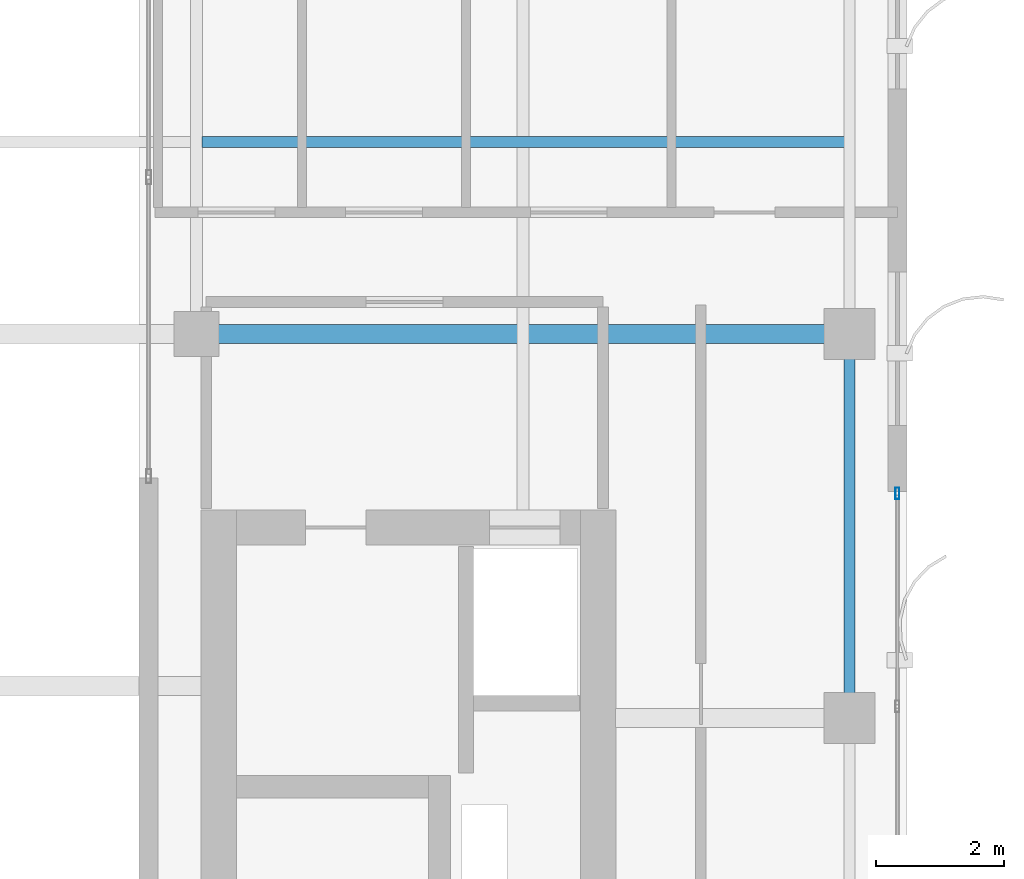
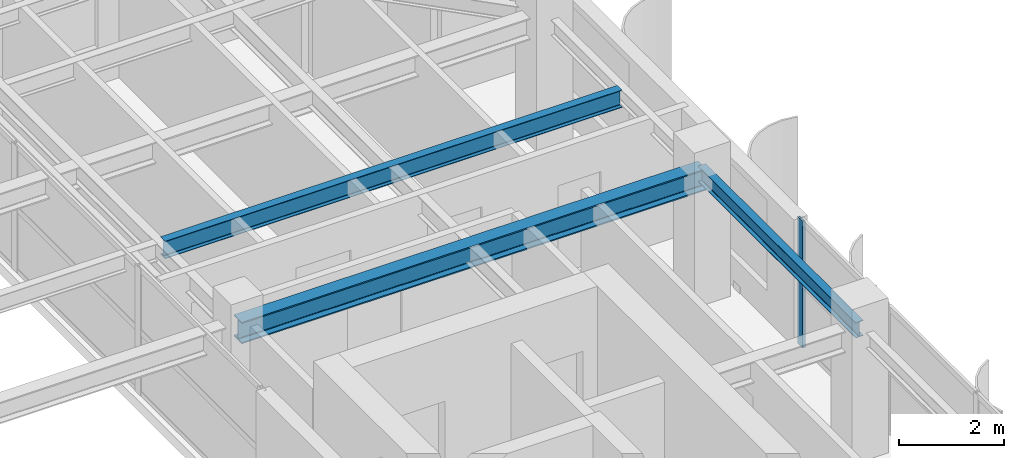
# One storey, part 14 of 25: 3 beams, 1 member, 1 element without a shape of its own.
"""IFC4 building model written with IfcOpenShell, lengths in metres."""

from ifc_helpers import new_model, si_unit, direction, frame, origin, origin_2d, place, context, subcontext, project, spatial, hollow_rectangle, i_section, extrude, source, transform, mapped, material, layer, layer_set, material_profile, profile_set, type_object, element, aggregate, save


model = new_model("IFC4")

# Units and contexts
model_context = context("Model", 3, precision=1e-05, world=origin(), true_north=direction((0.0, 1.0)))
body_context = subcontext(model_context, "Body", "Model", "MODEL_VIEW")
ifc_project = project(units=[si_unit("LENGTHUNIT", "METRE"), si_unit("AREAUNIT", "SQUARE_METRE"), si_unit("VOLUMEUNIT", "CUBIC_METRE"), si_unit("PLANEANGLEUNIT", "RADIAN"), si_unit("MASSUNIT", "GRAM", prefix="KILO")], contexts=[model_context])

# Site, building, storey
site_placement = place(None, origin())
site = spatial("IfcSite", under=ifc_project, at=site_placement, CompositionType="ELEMENT")
building_placement = place(site_placement, origin())
building = spatial("IfcBuilding", under=site, at=building_placement, Name="Khoralis Quay Care Tower", CompositionType="ELEMENT")
storey_placement = place(building_placement, frame((0.0, 0.0, 263.699951171875)))
storey = spatial("IfcBuildingStorey", under=building, at=storey_placement, Name="L69", CompositionType="ELEMENT", Elevation=263.699951171875)

# Beams
ifc_material_1 = material(Name="Steel S355", Category="steel")
ifc_material_profile_1 = material_profile(ifc_material_1, i_section(OverallWidth=0.169921875, OverallDepth=0.360107421875, WebThickness=0.008056640625, FlangeThickness=0.0126953125, FilletRadius=0.01806640625, at=origin_2d()), Name="Steel S355")
ifc_profile_set_1 = profile_set([ifc_material_profile_1], Name="Steel S355")
beam_type_1 = type_object("IfcBeamType", Name="BM-IPE360", PredefinedType="SPANDREL", material=ifc_profile_set_1)
shared_shape_1 = source(origin(), body_context, "Body", "SweptSolid", [
    extrude(i_section(OverallWidth=0.169921875, OverallDepth=0.360107421875, WebThickness=0.008056640625, FlangeThickness=0.0126953125, FilletRadius=0.01806640625, at=origin_2d()), origin(), (0.0, 0.0, 1.0), 6.0),
])
beam_1_placement = place(storey_placement, frame((41.10009765625, 24.0, 2.77001953125), z_axis=(0.0, 1.0, 0.0), x_axis=(-1.0, 0.0, 0.0)))
element("IfcBeam", 1, at=beam_1_placement, inside=storey, type_object=beam_type_1, Name="BM-TSP-L69-13", PredefinedType="SPANDREL", context=body_context, shape_type="MappedRepresentation", body=[
    mapped(shared_shape_1, transform((0.0, 0.0, 0.0), scale=1.0)),
])
ifc_material_profile_2 = material_profile(ifc_material_1, i_section(OverallWidth=0.300048828125, OverallDepth=0.5, WebThickness=0.014404296875, FlangeThickness=0.028076171875, FilletRadius=0.027099609375, at=origin_2d()), Name="Steel S355")
ifc_profile_set_2 = profile_set([ifc_material_profile_2], Name="Steel S355")
beam_type_2 = type_object("IfcBeamType", Name="BM-HEB500", PredefinedType="BEAM", material=ifc_profile_set_2)
shared_shape_2 = source(origin(), body_context, "Body", "SweptSolid", [
    extrude(i_section(OverallWidth=0.300048828125, OverallDepth=0.5, WebThickness=0.014404296875, FlangeThickness=0.028076171875, FilletRadius=0.027099609375, at=origin_2d()), origin(), (0.0, 0.0, 1.0), 10.2001953125),
])
beam_2_placement = place(storey_placement, frame((30.89990234375, 30.0, 2.699951171875), z_axis=(1.0, 0.0, 0.0), x_axis=(0.0, 1.0, 0.0)))
element("IfcBeam", 2, at=beam_2_placement, inside=storey, type_object=beam_type_2, Name="BM-TGXE-L69-300", PredefinedType="BEAM", context=body_context, shape_type="MappedRepresentation", body=[
    mapped(shared_shape_2, transform((0.0, 0.0, 0.0), scale=1.0)),
])
ifc_material_profile_3 = material_profile(ifc_material_1, i_section(OverallWidth=0.177978515625, OverallDepth=0.406982421875, WebThickness=0.0078125, FlangeThickness=0.0126953125, FilletRadius=0.012939453125, at=origin_2d()), Name="Steel S355")
ifc_profile_set_3 = profile_set([ifc_material_profile_3], Name="Steel S355")
beam_type_3 = type_object("IfcBeamType", Name="BM-W410X60", PredefinedType="JOIST", material=ifc_profile_set_3)
shared_shape_3 = source(origin(), body_context, "Body", "SweptSolid", [
    extrude(i_section(OverallWidth=0.177978515625, OverallDepth=0.406982421875, WebThickness=0.0078125, FlangeThickness=0.0126953125, FilletRadius=0.012939453125, at=origin_2d()), origin(), (0.0, 0.0, 1.0), 10.045166015625),
])
beam_3_placement = place(storey_placement, frame((30.98388671875, 33.0, 2.74658203125), z_axis=(1.0, 0.0, 0.0), x_axis=(0.0, 1.0, 0.0)))
element("IfcBeam", 3, at=beam_3_placement, inside=storey, type_object=beam_type_3, Name="BM-TJS-L69-23", PredefinedType="JOIST", context=body_context, shape_type="MappedRepresentation", body=[
    mapped(shared_shape_3, transform((0.0, 0.0, 0.0), scale=1.0)),
])

# Curtain wall, member
ifc_material_2 = material(Name="Pale anodised aluminium", Category="aluminium")
ifc_layer = layer(ifc_material_2, 0.159912109375)
ifc_layer_set = layer_set([ifc_layer], Name="Pale anodised aluminium")
curtain_wall_type = type_object("IfcCurtainWallType", Name="CW-SYS-Z3", PredefinedType="NOTDEFINED", material=ifc_layer_set)
curtain_wall_placement = place(storey_placement, origin())
curtain_wall = element("IfcCurtainWall", 4, at=curtain_wall_placement, inside=storey, type_object=curtain_wall_type, Name="L69 Unitised Curtain Wall CW-L69-P2-E5", PredefinedType="NOTDEFINED")
ifc_material_profile_4 = material_profile(ifc_material_2, hollow_rectangle(XDim=0.06494140625, YDim=0.179931640625, WallThickness=0.00390625, at=origin_2d()), Name="Pale anodised aluminium")
ifc_profile_set_4 = profile_set([ifc_material_profile_4], Name="Pale anodised aluminium")
member_type = type_object("IfcMemberType", Name="CW-MUL-180", PredefinedType="MULLION", material=ifc_profile_set_4)
shared_shape_4 = source(origin(), body_context, "Body", "SweptSolid", [
    extrude(hollow_rectangle(XDim=0.06494140625, YDim=0.179931640625, WallThickness=0.00390625, at=origin_2d()), origin(), (0.0, 0.0, 1.0), 2.949951171875),
])
member_placement = place(storey_placement, frame((41.85009765625, 27.510009765625, 0.0), z_axis=(0.0, 0.0, 1.0), x_axis=(-1.0, 0.0, 0.0)))
member = element("IfcMember", 5, at=member_placement, type_object=member_type, Name="CW3 mullion 4", PredefinedType="MULLION", context=body_context, shape_type="MappedRepresentation", body=[
    mapped(shared_shape_4, transform((0.0, 0.0, 0.0), scale=1.0)),
])
aggregate(curtain_wall, [member])

save(model, "model.ifc")
